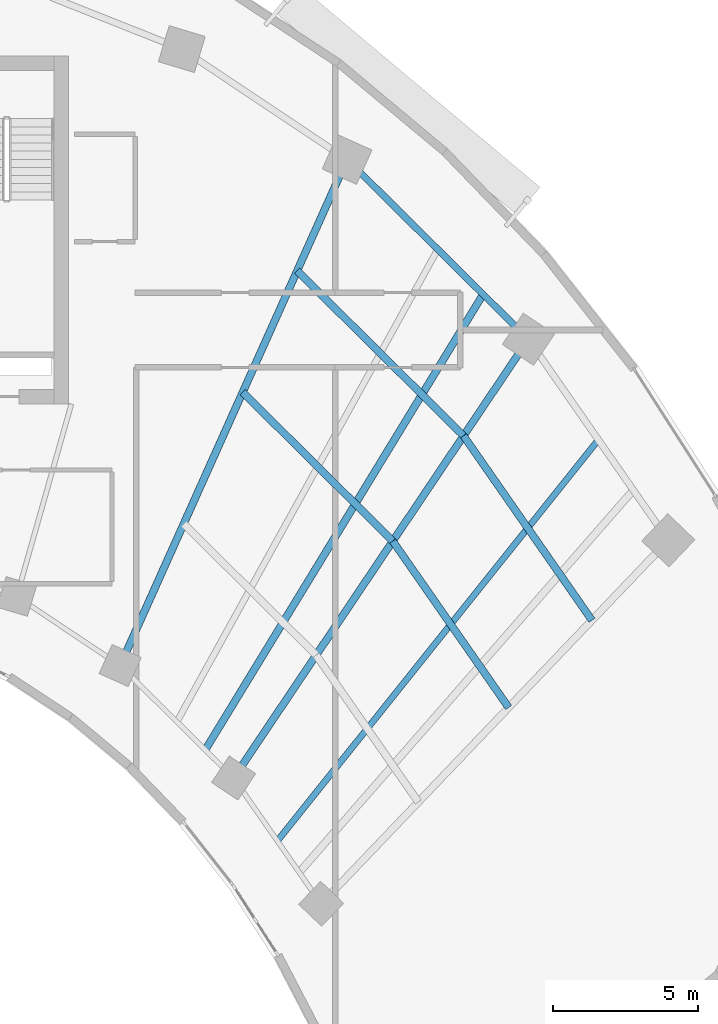
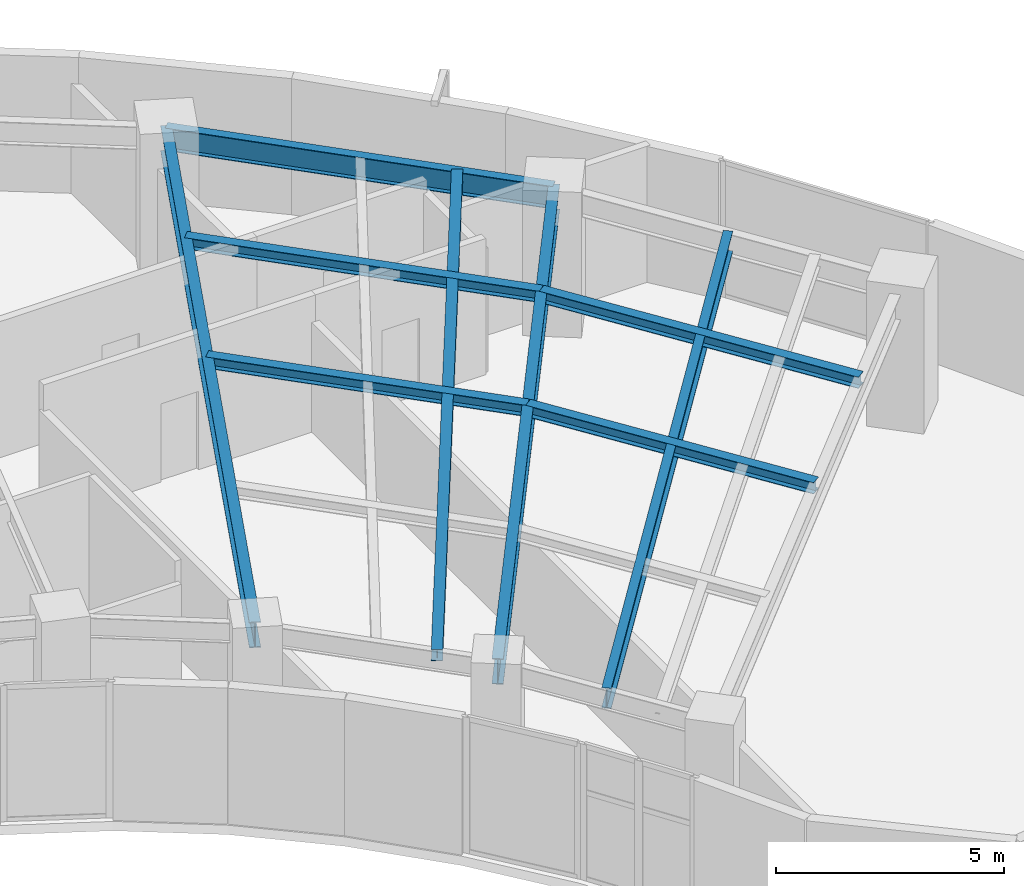
# One storey, part 4 of 14: 9 beams.
"""IFC4 building model written with IfcOpenShell, lengths in metres."""

from ifc_helpers import new_model, si_unit, direction, frame, origin, origin_2d, place, context, subcontext, project, spatial, i_section, extrude, source, transform, mapped, material, material_profile, profile_set, type_object, element, save


model = new_model("IFC4")

# Units and contexts
model_context = context("Model", 3, precision=1e-05, world=origin(), true_north=direction((0.0, 1.0)))
body_context = subcontext(model_context, "Body", "Model", "MODEL_VIEW")
ifc_project = project(units=[si_unit("LENGTHUNIT", "METRE"), si_unit("AREAUNIT", "SQUARE_METRE"), si_unit("VOLUMEUNIT", "CUBIC_METRE"), si_unit("PLANEANGLEUNIT", "RADIAN"), si_unit("MASSUNIT", "GRAM", prefix="KILO")], contexts=[model_context])

# Site, building, storey
site_placement = place(None, origin())
site = spatial("IfcSite", under=ifc_project, at=site_placement, CompositionType="ELEMENT")
building_placement = place(site_placement, origin())
building = spatial("IfcBuilding", under=site, at=building_placement, Name="Breltana Convention Tower", CompositionType="ELEMENT")
storey_placement = place(building_placement, frame((0.0, 0.0, 115.5)))
storey = spatial("IfcBuildingStorey", under=building, at=storey_placement, Name="L27", CompositionType="ELEMENT", Elevation=115.5)

# Beams
ifc_material = material(Name="Steel ASTM A992 Grade 50", Category="steel")
ifc_material_profile_1 = material_profile(ifc_material, i_section(OverallWidth=0.25390625, OverallDepth=0.68798828125, WebThickness=0.01318359375, FlangeThickness=0.02099609375, at=origin_2d()), Name="W27X102")
ifc_profile_set_1 = profile_set([ifc_material_profile_1], Name="Steel ASTM A992 Grade 50")
beam_type_1 = type_object("IfcBeamType", Name="BM-RG-W27X102", PredefinedType="USERDEFINED", material=ifc_profile_set_1)
shared_shape_1 = source(origin(), body_context, "Body", "SweptSolid", [
    extrude(i_section(OverallWidth=0.25390625, OverallDepth=0.68798828125, WebThickness=0.01318359375, FlangeThickness=0.02099609375, at=origin_2d()), origin(), (0.0, 0.0, 1.0), 19.133544921875),
])
beam_1_placement = place(storey_placement, frame((61.08203125, 51.174560546875, 3.305908203125), z_axis=(0.409144564164, 0.912469575172, 0.0), x_axis=(-0.912469575172, 0.409144564164, 0.0)))
element("IfcBeam", 1, at=beam_1_placement, inside=storey, type_object=beam_type_1, Name="L27 Radial Floor Girder R09", ObjectType="GIRDER", PredefinedType="USERDEFINED", context=body_context, shape_type="MappedRepresentation", body=[
    mapped(shared_shape_1, transform((0.0, 0.0, 0.0), scale=1.0)),
])
shared_shape_2 = source(origin(), body_context, "Body", "SweptSolid", [
    extrude(i_section(OverallWidth=0.25390625, OverallDepth=0.68798828125, WebThickness=0.01318359375, FlangeThickness=0.02099609375, at=origin_2d()), origin(), (0.0, 0.0, 1.0), 18.236328125),
])
beam_2_placement = place(storey_placement, frame((64.995849609375, 47.293701171875, 3.305908203125), z_axis=(0.557730360975, 0.830022195153, 0.0), x_axis=(-0.830022195153, 0.557730360975, 0.0)))
element("IfcBeam", 2, at=beam_2_placement, inside=storey, type_object=beam_type_1, Name="L27 Radial Floor Girder R10", ObjectType="GIRDER", PredefinedType="USERDEFINED", context=body_context, shape_type="MappedRepresentation", body=[
    mapped(shared_shape_2, transform((0.0, 0.0, 0.0), scale=1.0)),
])
ifc_material_profile_2 = material_profile(ifc_material, i_section(OverallWidth=0.22802734375, OverallDepth=0.60791015625, WebThickness=0.01123046875, FlangeThickness=0.017333984375, at=origin_2d()), Name="W24X76")
ifc_profile_set_2 = profile_set([ifc_material_profile_2], Name="Steel ASTM A992 Grade 50")
beam_type_2 = type_object("IfcBeamType", Name="BM-SP-W24X76", PredefinedType="SPANDREL", material=ifc_profile_set_2)
shared_shape_3 = source(origin(), body_context, "Body", "SweptSolid", [
    extrude(i_section(OverallWidth=0.22802734375, OverallDepth=0.60791015625, WebThickness=0.01123046875, FlangeThickness=0.017333984375, at=origin_2d()), origin(), (0.0, 0.0, 1.0), 8.810302734375),
])
beam_3_placement = place(storey_placement, frame((68.910400390625, 68.63330078125, 3.345947265625), z_axis=(0.710120823582, -0.704079836322, 0.0), x_axis=(0.704079836322, 0.710120823582, 0.0)))
element("IfcBeam", 3, at=beam_3_placement, inside=storey, type_object=beam_type_2, Name="L27 Outer Spandrel Beam 09", PredefinedType="SPANDREL", context=body_context, shape_type="MappedRepresentation", body=[
    mapped(shared_shape_3, transform((0.0, 0.0, 0.0), scale=1.0)),
])
ifc_material_profile_3 = material_profile(ifc_material, i_section(OverallWidth=0.25390625, OverallDepth=0.305908203125, WebThickness=0.0087890625, FlangeThickness=0.0146484375, at=origin_2d()), Name="W12X53")
ifc_profile_set_3 = profile_set([ifc_material_profile_3], Name="Steel ASTM A992 Grade 50")
beam_type_3 = type_object("IfcBeamType", Name="BM-JSG-10", PredefinedType="JOIST", material=ifc_profile_set_3)
shared_shape_4 = source(origin(), body_context, "Body", "SweptSolid", [
    extrude(i_section(OverallWidth=0.25390625, OverallDepth=0.305908203125, WebThickness=0.0087890625, FlangeThickness=0.0146484375, at=origin_2d()), origin(), (0.0, 0.0, 1.0), 7.29296875),
])
beam_4_placement = place(storey_placement, frame((65.309326171875, 60.602294921875, 3.4970703125), z_axis=(0.710096551013, -0.704104316305, 0.0), x_axis=(0.704104316305, 0.710096551013, 0.0)))
element("IfcBeam", 4, at=beam_4_placement, inside=storey, type_object=beam_type_3, Name="L27 Composite Floor Joist 09.2", PredefinedType="JOIST", context=body_context, shape_type="MappedRepresentation", body=[
    mapped(shared_shape_4, transform((0.0, 0.0, 0.0), scale=1.0)),
])
shared_shape_5 = source(origin(), body_context, "Body", "SweptSolid", [
    extrude(i_section(OverallWidth=0.25390625, OverallDepth=0.305908203125, WebThickness=0.0087890625, FlangeThickness=0.0146484375, at=origin_2d()), origin(), (0.0, 0.0, 1.0), 8.084716796875),
])
beam_5_placement = place(storey_placement, frame((67.188232421875, 64.79248046875, 3.4970703125), z_axis=(0.710105094548, -0.704095699956, 0.0), x_axis=(0.704095699956, 0.710105094548, 0.0)))
element("IfcBeam", 5, at=beam_5_placement, inside=storey, type_object=beam_type_3, Name="L27 Composite Floor Joist 09.3", PredefinedType="JOIST", context=body_context, shape_type="MappedRepresentation", body=[
    mapped(shared_shape_5, transform((0.0, 0.0, 0.0), scale=1.0)),
])
shared_shape_6 = source(origin(), body_context, "Body", "SweptSolid", [
    extrude(i_section(OverallWidth=0.25390625, OverallDepth=0.305908203125, WebThickness=0.0087890625, FlangeThickness=0.0146484375, at=origin_2d()), origin(), (0.0, 0.0, 1.0), 18.409423828125),
])
beam_6_placement = place(storey_placement, frame((64.017333984375, 48.263916015625, 3.4970703125), z_axis=(0.520682167606, 0.853750596098, 0.0), x_axis=(-0.853750596098, 0.520682167606, 0.0)))
element("IfcBeam", 6, at=beam_6_placement, inside=storey, type_object=beam_type_3, Name="L27 Quarter-Bay Radial Trimmer 09", PredefinedType="JOIST", context=body_context, shape_type="MappedRepresentation", body=[
    mapped(shared_shape_6, transform((0.0, 0.0, 0.0), scale=1.0)),
])
shared_shape_7 = source(origin(), body_context, "Body", "SweptSolid", [
    extrude(i_section(OverallWidth=0.25390625, OverallDepth=0.305908203125, WebThickness=0.0087890625, FlangeThickness=0.0146484375, at=origin_2d()), origin(), (0.0, 0.0, 1.0), 6.99462890625),
])
beam_7_placement = place(storey_placement, frame((70.488037109375, 55.46728515625, 3.4970703125), z_axis=(0.571206630732, -0.820806301759, 0.0), x_axis=(0.820806301759, 0.571206630732, 0.0)))
element("IfcBeam", 7, at=beam_7_placement, inside=storey, type_object=beam_type_3, Name="L27 Composite Floor Joist 10.2", PredefinedType="JOIST", context=body_context, shape_type="MappedRepresentation", body=[
    mapped(shared_shape_7, transform((0.0, 0.0, 0.0), scale=1.0)),
])
shared_shape_8 = source(origin(), body_context, "Body", "SweptSolid", [
    extrude(i_section(OverallWidth=0.25390625, OverallDepth=0.305908203125, WebThickness=0.0087890625, FlangeThickness=0.0146484375, at=origin_2d()), origin(), (0.0, 0.0, 1.0), 7.75390625),
])
beam_8_placement = place(storey_placement, frame((72.92919921875, 59.10009765625, 3.4970703125), z_axis=(0.57119271264, -0.820815987312, 0.0), x_axis=(0.820815987312, 0.57119271264, 0.0)))
element("IfcBeam", 8, at=beam_8_placement, inside=storey, type_object=beam_type_3, Name="L27 Composite Floor Joist 10.3", PredefinedType="JOIST", context=body_context, shape_type="MappedRepresentation", body=[
    mapped(shared_shape_8, transform((0.0, 0.0, 0.0), scale=1.0)),
])
ifc_material_profile_4 = material_profile(ifc_material, i_section(OverallWidth=0.214111328125, OverallDepth=0.549072265625, WebThickness=0.0146484375, FlangeThickness=0.023681640625, at=origin_2d()), Name="W21X93")
ifc_profile_set_4 = profile_set([ifc_material_profile_4], Name="Steel ASTM A992 Grade 50")
beam_type_4 = type_object("IfcBeamType", Name="BM-JSG-03", PredefinedType="JOIST", material=ifc_profile_set_4)
shared_shape_9 = source(origin(), body_context, "Body", "SweptSolid", [
    extrude(i_section(OverallWidth=0.214111328125, OverallDepth=0.549072265625, WebThickness=0.0146484375, FlangeThickness=0.023681640625, at=origin_2d()), origin(), (0.0, 0.0, 1.0), 17.7236328125),
])
beam_9_placement = place(storey_placement, frame((66.505615234375, 45.124267578125, 3.37548828125), z_axis=(0.624829427563, 0.78076128647, 0.0), x_axis=(-0.78076128647, 0.624829427563, 0.0)))
element("IfcBeam", 9, at=beam_9_placement, inside=storey, type_object=beam_type_4, Name="L27 Mid-Bay Radial Trimmer 10", PredefinedType="JOIST", context=body_context, shape_type="MappedRepresentation", body=[
    mapped(shared_shape_9, transform((0.0, 0.0, 0.0), scale=1.0)),
])

save(model, "model.ifc")
